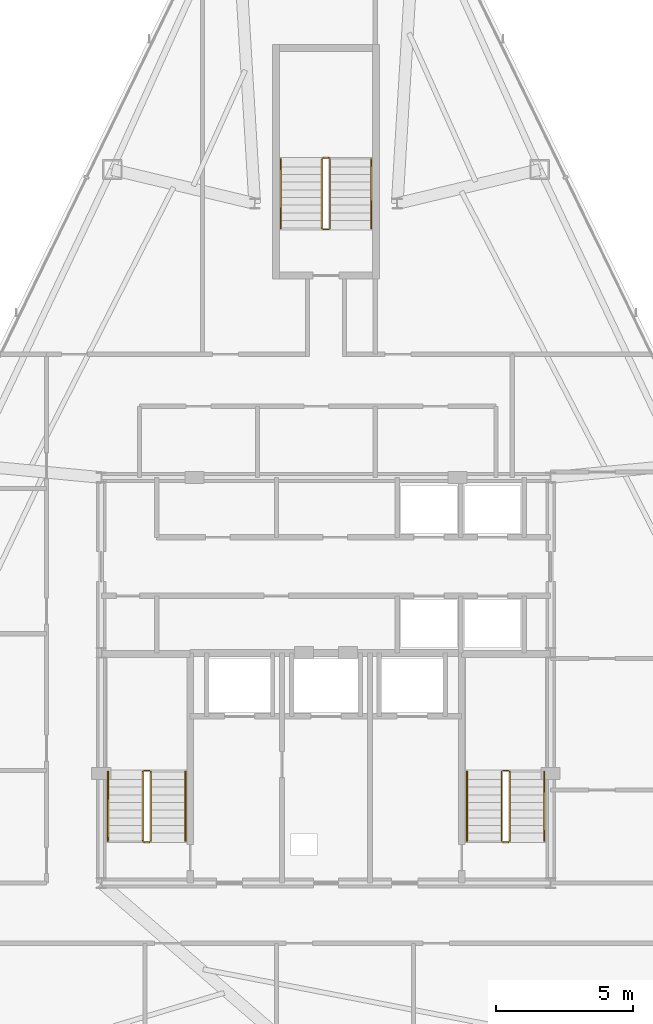
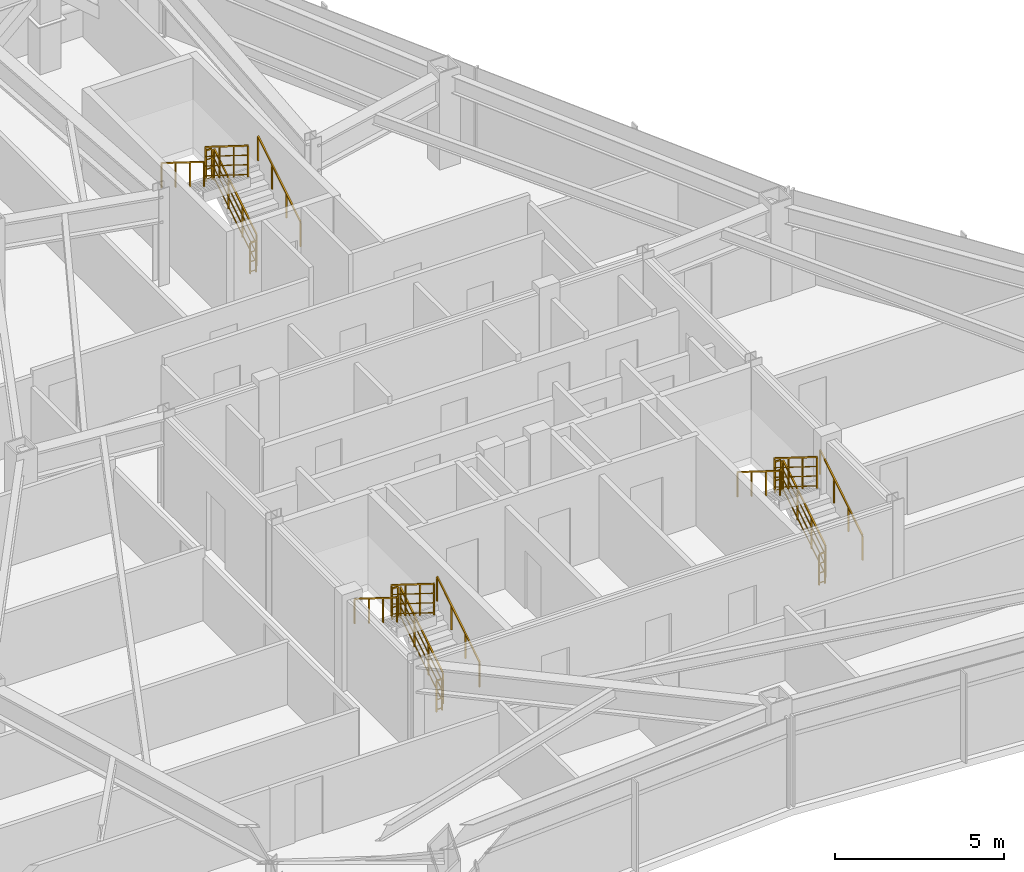
# One storey, part 12 of 12: 18 railings.
"""IFC4 building model written with IfcOpenShell, lengths in metres."""

import ifcopenshell
import ifcopenshell.guid

model = None  # the IFC model being written
_history = None  # IfcOwnerHistory: only IFC2X3 demands one
_inside = {}  # id of a spatial element -> (the spatial element, [elements in it])
_under = {}  # id of a project, library or spatial element -> (it, [spatial elements below it])
_declared = {}  # id of a project -> (the project, [libraries it declares])
_typed = {}  # id of a type object -> (the type object, [elements of that type])
_made_of = {}  # id of a material, layer set ... -> (it, [elements and type objects made of it])


def new_model(schema):
    """Start an empty IFC model of exactly this schema.

    Asked for "IFC4X3", IfcOpenShell would pick the latest addendum, in which some entities
    have other attributes; the version numbers below select the first issue.
    IFC2X3 requires an IfcOwnerHistory on every rooted entity: one is made here for all.
    """
    global model, _history
    if schema == "IFC4X3":
        model = ifcopenshell.file(schema_version=(4, 3, 0, 0))
    else:
        model = ifcopenshell.file(schema=schema)
    _inside.clear()
    _under.clear()
    _declared.clear()
    _typed.clear()
    _made_of.clear()
    _history = None
    if model.schema == "IFC2X3":
        org = make("IfcOrganization", Name="unknown")
        user = make(
            "IfcPersonAndOrganization",
            ThePerson=make("IfcPerson", FamilyName="unknown"),
            TheOrganization=org,
        )
        app = make(
            "IfcApplication",
            ApplicationDeveloper=org,
            Version="unknown",
            ApplicationFullName="unknown",
            ApplicationIdentifier="unknown",
        )
        _history = make(
            "IfcOwnerHistory",
            OwningUser=user,
            OwningApplication=app,
            ChangeAction="ADDED",
            CreationDate=0,
        )
    return model


def make(cls, **values):
    """One entity of the class cls with the attributes given. An attribute that is None is left unset."""
    return model.create_entity(
        cls, **{name: value for name, value in values.items() if value is not None}
    )


def rooted(cls, **values):
    """An entity with a GlobalId (a new one), such as an element, a storey or a relation."""
    return make(cls, GlobalId=ifcopenshell.guid.new(), OwnerHistory=_history, **values)


def si_unit(unit_type, name, prefix=None):
    """IfcSIUnit, for example si_unit("LENGTHUNIT", "METRE", prefix="MILLI")."""
    return make("IfcSIUnit", UnitType=unit_type, Prefix=prefix, Name=name)


def assignment(units):
    """IfcUnitAssignment: the units of a project."""
    return None if units is None else make("IfcUnitAssignment", Units=units)


def point(xyz):
    """IfcCartesianPoint."""
    return None if xyz is None else make("IfcCartesianPoint", Coordinates=xyz)


def direction(xyz):
    """IfcDirection."""
    return None if xyz is None else make("IfcDirection", DirectionRatios=xyz)


def frame(location, z_axis=None, x_axis=None):
    """IfcAxis2Placement3D, a coordinate frame: its origin and axes. An axis left out is left unset."""
    return make(
        "IfcAxis2Placement3D",
        Location=point(location),
        Axis=direction(z_axis),
        RefDirection=direction(x_axis),
    )


def frame_2d(location, x_axis=None):
    """IfcAxis2Placement2D, a coordinate frame in the plane: its origin and x axis."""
    return make(
        "IfcAxis2Placement2D", Location=point(location), RefDirection=direction(x_axis)
    )


def origin():
    """The frame at (0, 0, 0) with its axes left unset."""
    return frame((0.0, 0.0, 0.0))


def origin_2d():
    """The frame at (0, 0) in the plane with its x axis left unset."""
    return frame_2d((0.0, 0.0))


def place(relative_to, where):
    """IfcLocalPlacement: puts the frame where relative to a parent placement (None: the world)."""
    return make(
        "IfcLocalPlacement", PlacementRelTo=relative_to, RelativePlacement=where
    )


def context(
    kind, dimensions, precision=None, world=None, true_north=None, identifier=None
):
    """IfcGeometricRepresentationContext, for example the 3D "Model" context."""
    return make(
        "IfcGeometricRepresentationContext",
        ContextIdentifier=identifier,
        ContextType=kind,
        CoordinateSpaceDimension=dimensions,
        Precision=precision,
        WorldCoordinateSystem=world,
        TrueNorth=true_north,
    )


def subcontext(parent, identifier, kind, view, scale=None):
    """IfcGeometricRepresentationSubContext, for example "Body" below "Model"."""
    return make(
        "IfcGeometricRepresentationSubContext",
        ContextIdentifier=identifier,
        ContextType=kind,
        ParentContext=parent,
        TargetScale=scale,
        TargetView=view,
    )


def project(units=None, contexts=None):
    """IfcProject with its units and contexts."""
    return rooted(
        "IfcProject",
        Name="project",
        RepresentationContexts=contexts,
        UnitsInContext=assignment(units),
    )


def spatial(cls, under=None, at=None, **own):
    """A site, building, storey or space (cls), placed at a placement, below another one or the project."""
    s = rooted(cls, ObjectPlacement=at, **own)
    if under is not None:
        _under.setdefault(under.id(), (under, []))[1].append(s)
    return s


def profile(cls, at=None, kind="AREA", **sizes):
    """A parametric profile (cls). Its sizes go by their IFC names, for example OverallWidth=200.0."""
    return make(cls, ProfileType=kind, Position=at, **sizes)


def rectangle(**sizes):
    """IfcRectangleProfileDef."""
    return profile("IfcRectangleProfileDef", **sizes)


def extrude(swept, where, along, depth):
    """IfcExtrudedAreaSolid: the profile swept, set in the frame where, extruded along a direction by depth."""
    return make(
        "IfcExtrudedAreaSolid",
        SweptArea=swept,
        Position=where,
        ExtrudedDirection=direction(along),
        Depth=depth,
    )


def shape(context_of_items, identifier, shape_type, items):
    """IfcShapeRepresentation: the items that make up one representation, for example the "Body"."""
    return make(
        "IfcShapeRepresentation",
        ContextOfItems=context_of_items,
        RepresentationIdentifier=identifier,
        RepresentationType=shape_type,
        Items=items,
    )


def material(Name=None, Category=None):
    """IfcMaterial."""
    return make("IfcMaterial", Name=Name, Category=Category)


def made_of(thing, what):
    """Note that an element or type object is made of a material, layer set ...; save() writes the relation."""
    if what is not None:
        _made_of.setdefault(what.id(), (what, []))[1].append(thing)
    return thing


def type_object(cls, material=None, **own):
    """A type object (cls), such as IfcWallType, which elements share."""
    return made_of(rooted(cls, **own), material)


def element(
    cls,
    number,
    at=None,
    inside=None,
    cuts=None,
    type_object=None,
    material=None,
    context=None,
    identifier="Body",
    shape_type=None,
    held_by="IfcProductDefinitionShape",
    body=None,
    shapes=None,
    **own,
):
    """One element of the class cls, such as IfcWall. Its Tag is "e" and its number.

    at: its placement. inside: the storey or other place that contains it. cuts: it is an
    opening in that element (IfcRelVoidsElement). A single representation is given by context,
    identifier, shape_type and body (its items); several are given by shapes. held_by: the class
    of the entity that holds the representations. save() writes the other relations.
    """
    e = rooted(cls, Tag="e%d" % number, ObjectPlacement=at, **own)
    if body is not None:
        shapes = [shape(context, identifier, shape_type, body)]
    if shapes is not None:
        e.Representation = make(held_by, Representations=shapes)
    if inside is not None:
        _inside.setdefault(inside.id(), (inside, []))[1].append(e)
    if cuts is not None:
        rooted(
            "IfcRelVoidsElement", RelatingBuildingElement=cuts, RelatedOpeningElement=e
        )
    if type_object is not None:
        _typed.setdefault(type_object.id(), (type_object, []))[1].append(e)
    return made_of(e, material)


def aggregate(whole, parts):
    """IfcRelAggregates: a whole, such as a stair, and the parts it consists of."""
    return rooted("IfcRelAggregates", RelatingObject=whole, RelatedObjects=parts)


def save(model, path):
    """Write the relations noted so far, then the file.

    IfcRelAggregates (storeys below a building ...), IfcRelContainedInSpatialStructure (elements
    in a storey), IfcRelDefinesByType, IfcRelAssociatesMaterial and IfcRelDeclares: one each for
    every whole, place, type object, material and project.
    """
    for whole, parts in _under.values():
        aggregate(whole, parts)
    for where, things in _inside.values():
        rooted(
            "IfcRelContainedInSpatialStructure",
            RelatedElements=things,
            RelatingStructure=where,
        )
    for kind, things in _typed.values():
        rooted("IfcRelDefinesByType", RelatedObjects=things, RelatingType=kind)
    for what, things in _made_of.values():
        rooted("IfcRelAssociatesMaterial", RelatedObjects=things, RelatingMaterial=what)
    for by, libraries in _declared.values():
        rooted("IfcRelDeclares", RelatingContext=by, RelatedDefinitions=libraries)
    model.write(path)


model = new_model("IFC4")

# Units and contexts
model_context = context("Model", 3, precision=1e-05, world=origin(), true_north=direction((0.0, 1.0)))
body_context = subcontext(model_context, "Body", "Model", "MODEL_VIEW")
ifc_project = project(units=[si_unit("LENGTHUNIT", "METRE"), si_unit("AREAUNIT", "SQUARE_METRE"), si_unit("VOLUMEUNIT", "CUBIC_METRE"), si_unit("PLANEANGLEUNIT", "RADIAN"), si_unit("MASSUNIT", "GRAM", prefix="KILO")], contexts=[model_context])

# Site, building, storey
site_placement = place(None, origin())
site = spatial("IfcSite", under=ifc_project, at=site_placement, CompositionType="ELEMENT")
building_placement = place(site_placement, origin())
building = spatial("IfcBuilding", under=site, at=building_placement, Name="Varakhsha Concourse Tower", CompositionType="ELEMENT")
storey_placement = place(building_placement, frame((0.0, 0.0, 211.89990234375)))
storey = spatial("IfcBuildingStorey", under=building, at=storey_placement, Name="L60", CompositionType="ELEMENT", Elevation=211.89990234375)

# Railings
ifc_material = material(Name="Brushed Austenitic Stainless Steel AISI 316", Category="steel")
railing_type_1 = type_object("IfcRailingType", Name="RL-STAIR-GUARD-1100", PredefinedType="GUARDRAIL", material=ifc_material)
railing_1_placement = place(storey_placement, frame((33.610107421875, 17.93994140625, 0.175048828125)))
element("IfcRailing", 1, at=railing_1_placement, inside=storey, type_object=railing_type_1, Name="L60 ST1 stair guard 1", PredefinedType="GUARDRAIL", context=body_context, shape_type="SweptSolid", body=[
    extrude(rectangle(XDim=0.048095703125, YDim=0.048095703125, at=origin_2d()), frame((0.0, 0.0, 1.1259765625), z_axis=(0.0, 0.848007534815, 0.529984170421), x_axis=(-1.0, 0.0, 0.0)), (0.0, 0.0, 1.0), 2.9716796875),
    extrude(rectangle(XDim=0.028076171875, YDim=0.028076171875, at=origin_2d()), frame((0.0, 0.0, 0.080078125), z_axis=(0.0, 0.848007534815, 0.529984170421), x_axis=(-1.0, 0.0, 0.0)), (0.0, 0.0, 1.0), 2.9716796875),
    extrude(rectangle(XDim=0.028076171875, YDim=0.028076171875, at=origin_2d()), frame((0.0, 0.0, 0.43701171875), z_axis=(0.0, 0.848007534815, 0.529984170421), x_axis=(-1.0, 0.0, 0.0)), (0.0, 0.0, 1.0), 2.9716796875),
    extrude(rectangle(XDim=0.028076171875, YDim=0.028076171875, at=origin_2d()), frame((0.0, 0.0, 0.781982421875), z_axis=(0.0, 0.848007534815, 0.529984170421), x_axis=(-1.0, 0.0, 0.0)), (0.0, 0.0, 1.0), 2.9716796875),
    extrude(rectangle(XDim=0.0419921875, YDim=0.0419921875, at=origin_2d()), origin(), (0.0, 0.0, 1.0), 1.101806640625),
    extrude(rectangle(XDim=0.0419921875, YDim=0.0419921875, at=origin_2d()), frame((0.0, 0.840087890625, 0.52490234375)), (0.0, 0.0, 1.0), 1.101806640625),
    extrude(rectangle(XDim=0.0419921875, YDim=0.0419921875, at=origin_2d()), frame((0.0, 1.679931640625, 1.050048828125)), (0.0, 0.0, 1.0), 1.101806640625),
    extrude(rectangle(XDim=0.0419921875, YDim=0.0419921875, at=origin_2d()), frame((0.0, 2.52001953125, 1.574951171875)), (0.0, 0.0, 1.0), 1.101806640625),
])
railing_2_placement = place(storey_placement, frame((33.56005859375, 20.510009765625, 1.75)))
element("IfcRailing", 2, at=railing_2_placement, inside=storey, type_object=railing_type_1, Name="L60 ST1 stair guard 2", PredefinedType="GUARDRAIL", context=body_context, shape_type="SweptSolid", body=[
    extrude(rectangle(XDim=0.048095703125, YDim=0.048095703125, at=origin_2d()), frame((0.0, 0.0, 1.1259765625), z_axis=(-1.0, 0.0, 0.0), x_axis=(0.0, -1.0, 0.0)), (0.0, 0.0, 1.0), 0.199951171875),
    extrude(rectangle(XDim=0.028076171875, YDim=0.028076171875, at=origin_2d()), frame((0.0, 0.0, 0.080078125), z_axis=(-1.0, 0.0, 0.0), x_axis=(0.0, -1.0, 0.0)), (0.0, 0.0, 1.0), 0.199951171875),
    extrude(rectangle(XDim=0.028076171875, YDim=0.028076171875, at=origin_2d()), frame((0.0, 0.0, 0.43701171875), z_axis=(-1.0, 0.0, 0.0), x_axis=(0.0, -1.0, 0.0)), (0.0, 0.0, 1.0), 0.199951171875),
    extrude(rectangle(XDim=0.028076171875, YDim=0.028076171875, at=origin_2d()), frame((0.0, 0.0, 0.781982421875), z_axis=(-1.0, 0.0, 0.0), x_axis=(0.0, -1.0, 0.0)), (0.0, 0.0, 1.0), 0.199951171875),
    extrude(rectangle(XDim=0.0419921875, YDim=0.0419921875, at=origin_2d()), origin(), (0.0, 0.0, 1.0), 1.101806640625),
    extrude(rectangle(XDim=0.0419921875, YDim=0.0419921875, at=origin_2d()), frame((-0.199951171875, 0.0, 0.0)), (0.0, 0.0, 1.0), 1.101806640625),
])
railing_3_placement = place(storey_placement, frame((33.31005859375, 20.4599609375, 1.925048828125)))
element("IfcRailing", 3, at=railing_3_placement, inside=storey, type_object=railing_type_1, Name="L60 ST1 stair guard 3", PredefinedType="GUARDRAIL", context=body_context, shape_type="SweptSolid", body=[
    extrude(rectangle(XDim=0.048095703125, YDim=0.048095703125, at=origin_2d()), frame((0.0, 0.0, 1.1259765625), z_axis=(0.0, -0.848007534815, 0.529984170421), x_axis=(1.0, 0.0, 0.0)), (0.0, 0.0, 1.0), 2.9716796875),
    extrude(rectangle(XDim=0.028076171875, YDim=0.028076171875, at=origin_2d()), frame((0.0, 0.0, 0.080078125), z_axis=(0.0, -0.848007534815, 0.529984170421), x_axis=(1.0, 0.0, 0.0)), (0.0, 0.0, 1.0), 2.9716796875),
    extrude(rectangle(XDim=0.028076171875, YDim=0.028076171875, at=origin_2d()), frame((0.0, 0.0, 0.43701171875), z_axis=(0.0, -0.848007534815, 0.529984170421), x_axis=(1.0, 0.0, 0.0)), (0.0, 0.0, 1.0), 2.9716796875),
    extrude(rectangle(XDim=0.028076171875, YDim=0.028076171875, at=origin_2d()), frame((0.0, 0.0, 0.781982421875), z_axis=(0.0, -0.848007534815, 0.529984170421), x_axis=(1.0, 0.0, 0.0)), (0.0, 0.0, 1.0), 2.9716796875),
    extrude(rectangle(XDim=0.0419921875, YDim=0.0419921875, at=origin_2d()), origin(), (0.0, 0.0, 1.0), 1.101806640625),
    extrude(rectangle(XDim=0.0419921875, YDim=0.0419921875, at=origin_2d()), frame((0.0, -0.840087890625, 0.52490234375)), (0.0, 0.0, 1.0), 1.101806640625),
    extrude(rectangle(XDim=0.0419921875, YDim=0.0419921875, at=origin_2d()), frame((0.0, -1.679931640625, 1.050048828125)), (0.0, 0.0, 1.0), 1.101806640625),
    extrude(rectangle(XDim=0.0419921875, YDim=0.0419921875, at=origin_2d()), frame((0.0, -2.52001953125, 1.574951171875)), (0.0, 0.0, 1.0), 1.101806640625),
])
railing_4_placement = place(storey_placement, frame((33.56005859375, 17.889892578125, 0.0)))
element("IfcRailing", 4, at=railing_4_placement, inside=storey, type_object=railing_type_1, Name="L60 ST1 stair guard 4", PredefinedType="GUARDRAIL", context=body_context, shape_type="SweptSolid", body=[
    extrude(rectangle(XDim=0.048095703125, YDim=0.048095703125, at=origin_2d()), frame((0.0, 0.0, 1.1259765625), z_axis=(-1.0, 0.0, 0.0), x_axis=(0.0, -1.0, 0.0)), (0.0, 0.0, 1.0), 0.199951171875),
    extrude(rectangle(XDim=0.028076171875, YDim=0.028076171875, at=origin_2d()), frame((0.0, 0.0, 0.080078125), z_axis=(-1.0, 0.0, 0.0), x_axis=(0.0, -1.0, 0.0)), (0.0, 0.0, 1.0), 0.199951171875),
    extrude(rectangle(XDim=0.028076171875, YDim=0.028076171875, at=origin_2d()), frame((0.0, 0.0, 0.43701171875), z_axis=(-1.0, 0.0, 0.0), x_axis=(0.0, -1.0, 0.0)), (0.0, 0.0, 1.0), 0.199951171875),
    extrude(rectangle(XDim=0.028076171875, YDim=0.028076171875, at=origin_2d()), frame((0.0, 0.0, 0.781982421875), z_axis=(-1.0, 0.0, 0.0), x_axis=(0.0, -1.0, 0.0)), (0.0, 0.0, 1.0), 0.199951171875),
    extrude(rectangle(XDim=0.0419921875, YDim=0.0419921875, at=origin_2d()), origin(), (0.0, 0.0, 1.0), 1.101806640625),
    extrude(rectangle(XDim=0.0419921875, YDim=0.0419921875, at=origin_2d()), frame((-0.199951171875, 0.0, 0.0)), (0.0, 0.0, 1.0), 1.101806640625),
])
railing_5_placement = place(storey_placement, frame((46.7099609375, 17.93994140625, 0.175048828125)))
element("IfcRailing", 5, at=railing_5_placement, inside=storey, type_object=railing_type_1, Name="L60 ST2 stair guard 1", PredefinedType="GUARDRAIL", context=body_context, shape_type="SweptSolid", body=[
    extrude(rectangle(XDim=0.048095703125, YDim=0.048095703125, at=origin_2d()), frame((0.0, 0.0, 1.1259765625), z_axis=(0.0, 0.848007534815, 0.529984170421), x_axis=(-1.0, 0.0, 0.0)), (0.0, 0.0, 1.0), 2.9716796875),
    extrude(rectangle(XDim=0.028076171875, YDim=0.028076171875, at=origin_2d()), frame((0.0, 0.0, 0.080078125), z_axis=(0.0, 0.848007534815, 0.529984170421), x_axis=(-1.0, 0.0, 0.0)), (0.0, 0.0, 1.0), 2.9716796875),
    extrude(rectangle(XDim=0.028076171875, YDim=0.028076171875, at=origin_2d()), frame((0.0, 0.0, 0.43701171875), z_axis=(0.0, 0.848007534815, 0.529984170421), x_axis=(-1.0, 0.0, 0.0)), (0.0, 0.0, 1.0), 2.9716796875),
    extrude(rectangle(XDim=0.028076171875, YDim=0.028076171875, at=origin_2d()), frame((0.0, 0.0, 0.781982421875), z_axis=(0.0, 0.848007534815, 0.529984170421), x_axis=(-1.0, 0.0, 0.0)), (0.0, 0.0, 1.0), 2.9716796875),
    extrude(rectangle(XDim=0.0419921875, YDim=0.0419921875, at=origin_2d()), origin(), (0.0, 0.0, 1.0), 1.101806640625),
    extrude(rectangle(XDim=0.0419921875, YDim=0.0419921875, at=origin_2d()), frame((0.0, 0.840087890625, 0.52490234375)), (0.0, 0.0, 1.0), 1.101806640625),
    extrude(rectangle(XDim=0.0419921875, YDim=0.0419921875, at=origin_2d()), frame((0.0, 1.679931640625, 1.050048828125)), (0.0, 0.0, 1.0), 1.101806640625),
    extrude(rectangle(XDim=0.0419921875, YDim=0.0419921875, at=origin_2d()), frame((0.0, 2.52001953125, 1.574951171875)), (0.0, 0.0, 1.0), 1.101806640625),
])
railing_6_placement = place(storey_placement, frame((46.659912109375, 20.510009765625, 1.75)))
element("IfcRailing", 6, at=railing_6_placement, inside=storey, type_object=railing_type_1, Name="L60 ST2 stair guard 2", PredefinedType="GUARDRAIL", context=body_context, shape_type="SweptSolid", body=[
    extrude(rectangle(XDim=0.048095703125, YDim=0.048095703125, at=origin_2d()), frame((0.0, 0.0, 1.1259765625), z_axis=(-1.0, 0.0, 0.0), x_axis=(0.0, -1.0, 0.0)), (0.0, 0.0, 1.0), 0.199951171875),
    extrude(rectangle(XDim=0.028076171875, YDim=0.028076171875, at=origin_2d()), frame((0.0, 0.0, 0.080078125), z_axis=(-1.0, 0.0, 0.0), x_axis=(0.0, -1.0, 0.0)), (0.0, 0.0, 1.0), 0.199951171875),
    extrude(rectangle(XDim=0.028076171875, YDim=0.028076171875, at=origin_2d()), frame((0.0, 0.0, 0.43701171875), z_axis=(-1.0, 0.0, 0.0), x_axis=(0.0, -1.0, 0.0)), (0.0, 0.0, 1.0), 0.199951171875),
    extrude(rectangle(XDim=0.028076171875, YDim=0.028076171875, at=origin_2d()), frame((0.0, 0.0, 0.781982421875), z_axis=(-1.0, 0.0, 0.0), x_axis=(0.0, -1.0, 0.0)), (0.0, 0.0, 1.0), 0.199951171875),
    extrude(rectangle(XDim=0.0419921875, YDim=0.0419921875, at=origin_2d()), origin(), (0.0, 0.0, 1.0), 1.101806640625),
    extrude(rectangle(XDim=0.0419921875, YDim=0.0419921875, at=origin_2d()), frame((-0.199951171875, 0.0, 0.0)), (0.0, 0.0, 1.0), 1.101806640625),
])
railing_7_placement = place(storey_placement, frame((46.409912109375, 20.4599609375, 1.925048828125)))
element("IfcRailing", 7, at=railing_7_placement, inside=storey, type_object=railing_type_1, Name="L60 ST2 stair guard 3", PredefinedType="GUARDRAIL", context=body_context, shape_type="SweptSolid", body=[
    extrude(rectangle(XDim=0.048095703125, YDim=0.048095703125, at=origin_2d()), frame((0.0, 0.0, 1.1259765625), z_axis=(0.0, -0.848007534815, 0.529984170421), x_axis=(1.0, 0.0, 0.0)), (0.0, 0.0, 1.0), 2.9716796875),
    extrude(rectangle(XDim=0.028076171875, YDim=0.028076171875, at=origin_2d()), frame((0.0, 0.0, 0.080078125), z_axis=(0.0, -0.848007534815, 0.529984170421), x_axis=(1.0, 0.0, 0.0)), (0.0, 0.0, 1.0), 2.9716796875),
    extrude(rectangle(XDim=0.028076171875, YDim=0.028076171875, at=origin_2d()), frame((0.0, 0.0, 0.43701171875), z_axis=(0.0, -0.848007534815, 0.529984170421), x_axis=(1.0, 0.0, 0.0)), (0.0, 0.0, 1.0), 2.9716796875),
    extrude(rectangle(XDim=0.028076171875, YDim=0.028076171875, at=origin_2d()), frame((0.0, 0.0, 0.781982421875), z_axis=(0.0, -0.848007534815, 0.529984170421), x_axis=(1.0, 0.0, 0.0)), (0.0, 0.0, 1.0), 2.9716796875),
    extrude(rectangle(XDim=0.0419921875, YDim=0.0419921875, at=origin_2d()), origin(), (0.0, 0.0, 1.0), 1.101806640625),
    extrude(rectangle(XDim=0.0419921875, YDim=0.0419921875, at=origin_2d()), frame((0.0, -0.840087890625, 0.52490234375)), (0.0, 0.0, 1.0), 1.101806640625),
    extrude(rectangle(XDim=0.0419921875, YDim=0.0419921875, at=origin_2d()), frame((0.0, -1.679931640625, 1.050048828125)), (0.0, 0.0, 1.0), 1.101806640625),
    extrude(rectangle(XDim=0.0419921875, YDim=0.0419921875, at=origin_2d()), frame((0.0, -2.52001953125, 1.574951171875)), (0.0, 0.0, 1.0), 1.101806640625),
])
railing_8_placement = place(storey_placement, frame((46.659912109375, 17.889892578125, 0.0)))
element("IfcRailing", 8, at=railing_8_placement, inside=storey, type_object=railing_type_1, Name="L60 ST2 stair guard 4", PredefinedType="GUARDRAIL", context=body_context, shape_type="SweptSolid", body=[
    extrude(rectangle(XDim=0.048095703125, YDim=0.048095703125, at=origin_2d()), frame((0.0, 0.0, 1.1259765625), z_axis=(-1.0, 0.0, 0.0), x_axis=(0.0, -1.0, 0.0)), (0.0, 0.0, 1.0), 0.199951171875),
    extrude(rectangle(XDim=0.028076171875, YDim=0.028076171875, at=origin_2d()), frame((0.0, 0.0, 0.080078125), z_axis=(-1.0, 0.0, 0.0), x_axis=(0.0, -1.0, 0.0)), (0.0, 0.0, 1.0), 0.199951171875),
    extrude(rectangle(XDim=0.028076171875, YDim=0.028076171875, at=origin_2d()), frame((0.0, 0.0, 0.43701171875), z_axis=(-1.0, 0.0, 0.0), x_axis=(0.0, -1.0, 0.0)), (0.0, 0.0, 1.0), 0.199951171875),
    extrude(rectangle(XDim=0.028076171875, YDim=0.028076171875, at=origin_2d()), frame((0.0, 0.0, 0.781982421875), z_axis=(-1.0, 0.0, 0.0), x_axis=(0.0, -1.0, 0.0)), (0.0, 0.0, 1.0), 0.199951171875),
    extrude(rectangle(XDim=0.0419921875, YDim=0.0419921875, at=origin_2d()), origin(), (0.0, 0.0, 1.0), 1.101806640625),
    extrude(rectangle(XDim=0.0419921875, YDim=0.0419921875, at=origin_2d()), frame((-0.199951171875, 0.0, 0.0)), (0.0, 0.0, 1.0), 1.101806640625),
])
railing_9_placement = place(storey_placement, frame((40.14990234375, 40.300048828125, 0.175048828125)))
element("IfcRailing", 9, at=railing_9_placement, inside=storey, type_object=railing_type_1, Name="L60 ST5 stair guard 1", PredefinedType="GUARDRAIL", context=body_context, shape_type="SweptSolid", body=[
    extrude(rectangle(XDim=0.048095703125, YDim=0.048095703125, at=origin_2d()), frame((0.0, 0.0, 1.1259765625), z_axis=(0.0, 0.848007534815, 0.529984170421), x_axis=(-1.0, 0.0, 0.0)), (0.0, 0.0, 1.0), 2.9716796875),
    extrude(rectangle(XDim=0.028076171875, YDim=0.028076171875, at=origin_2d()), frame((0.0, 0.0, 0.080078125), z_axis=(0.0, 0.848007534815, 0.529984170421), x_axis=(-1.0, 0.0, 0.0)), (0.0, 0.0, 1.0), 2.9716796875),
    extrude(rectangle(XDim=0.028076171875, YDim=0.028076171875, at=origin_2d()), frame((0.0, 0.0, 0.43701171875), z_axis=(0.0, 0.848007534815, 0.529984170421), x_axis=(-1.0, 0.0, 0.0)), (0.0, 0.0, 1.0), 2.9716796875),
    extrude(rectangle(XDim=0.028076171875, YDim=0.028076171875, at=origin_2d()), frame((0.0, 0.0, 0.781982421875), z_axis=(0.0, 0.848007534815, 0.529984170421), x_axis=(-1.0, 0.0, 0.0)), (0.0, 0.0, 1.0), 2.9716796875),
    extrude(rectangle(XDim=0.0419921875, YDim=0.0419921875, at=origin_2d()), origin(), (0.0, 0.0, 1.0), 1.101806640625),
    extrude(rectangle(XDim=0.0419921875, YDim=0.0419921875, at=origin_2d()), frame((0.0, 0.840087890625, 0.52490234375)), (0.0, 0.0, 1.0), 1.101806640625),
    extrude(rectangle(XDim=0.0419921875, YDim=0.0419921875, at=origin_2d()), frame((0.0, 1.679931640625, 1.050048828125)), (0.0, 0.0, 1.0), 1.101806640625),
    extrude(rectangle(XDim=0.0419921875, YDim=0.0419921875, at=origin_2d()), frame((0.0, 2.52001953125, 1.574951171875)), (0.0, 0.0, 1.0), 1.101806640625),
])
railing_10_placement = place(storey_placement, frame((40.10009765625, 42.8701171875, 1.75)))
element("IfcRailing", 10, at=railing_10_placement, inside=storey, type_object=railing_type_1, Name="L60 ST5 stair guard 2", PredefinedType="GUARDRAIL", context=body_context, shape_type="SweptSolid", body=[
    extrude(rectangle(XDim=0.048095703125, YDim=0.048095703125, at=origin_2d()), frame((0.0, 0.0, 1.1259765625), z_axis=(-1.0, 0.0, 0.0), x_axis=(0.0, -1.0, 0.0)), (0.0, 0.0, 1.0), 0.2001953125),
    extrude(rectangle(XDim=0.028076171875, YDim=0.028076171875, at=origin_2d()), frame((0.0, 0.0, 0.080078125), z_axis=(-1.0, 0.0, 0.0), x_axis=(0.0, -1.0, 0.0)), (0.0, 0.0, 1.0), 0.2001953125),
    extrude(rectangle(XDim=0.028076171875, YDim=0.028076171875, at=origin_2d()), frame((0.0, 0.0, 0.43701171875), z_axis=(-1.0, 0.0, 0.0), x_axis=(0.0, -1.0, 0.0)), (0.0, 0.0, 1.0), 0.2001953125),
    extrude(rectangle(XDim=0.028076171875, YDim=0.028076171875, at=origin_2d()), frame((0.0, 0.0, 0.781982421875), z_axis=(-1.0, 0.0, 0.0), x_axis=(0.0, -1.0, 0.0)), (0.0, 0.0, 1.0), 0.2001953125),
    extrude(rectangle(XDim=0.0419921875, YDim=0.0419921875, at=origin_2d()), origin(), (0.0, 0.0, 1.0), 1.101806640625),
    extrude(rectangle(XDim=0.0419921875, YDim=0.0419921875, at=origin_2d()), frame((-0.2001953125, 0.0, 0.0)), (0.0, 0.0, 1.0), 1.101806640625),
])
railing_11_placement = place(storey_placement, frame((39.85009765625, 42.820068359375, 1.925048828125)))
element("IfcRailing", 11, at=railing_11_placement, inside=storey, type_object=railing_type_1, Name="L60 ST5 stair guard 3", PredefinedType="GUARDRAIL", context=body_context, shape_type="SweptSolid", body=[
    extrude(rectangle(XDim=0.048095703125, YDim=0.048095703125, at=origin_2d()), frame((0.0, 0.0, 1.1259765625), z_axis=(0.0, -0.848007534815, 0.529984170421), x_axis=(1.0, 0.0, 0.0)), (0.0, 0.0, 1.0), 2.9716796875),
    extrude(rectangle(XDim=0.028076171875, YDim=0.028076171875, at=origin_2d()), frame((0.0, 0.0, 0.080078125), z_axis=(0.0, -0.848007534815, 0.529984170421), x_axis=(1.0, 0.0, 0.0)), (0.0, 0.0, 1.0), 2.9716796875),
    extrude(rectangle(XDim=0.028076171875, YDim=0.028076171875, at=origin_2d()), frame((0.0, 0.0, 0.43701171875), z_axis=(0.0, -0.848007534815, 0.529984170421), x_axis=(1.0, 0.0, 0.0)), (0.0, 0.0, 1.0), 2.9716796875),
    extrude(rectangle(XDim=0.028076171875, YDim=0.028076171875, at=origin_2d()), frame((0.0, 0.0, 0.781982421875), z_axis=(0.0, -0.848007534815, 0.529984170421), x_axis=(1.0, 0.0, 0.0)), (0.0, 0.0, 1.0), 2.9716796875),
    extrude(rectangle(XDim=0.0419921875, YDim=0.0419921875, at=origin_2d()), origin(), (0.0, 0.0, 1.0), 1.101806640625),
    extrude(rectangle(XDim=0.0419921875, YDim=0.0419921875, at=origin_2d()), frame((0.0, -0.840087890625, 0.52490234375)), (0.0, 0.0, 1.0), 1.101806640625),
    extrude(rectangle(XDim=0.0419921875, YDim=0.0419921875, at=origin_2d()), frame((0.0, -1.679931640625, 1.050048828125)), (0.0, 0.0, 1.0), 1.101806640625),
    extrude(rectangle(XDim=0.0419921875, YDim=0.0419921875, at=origin_2d()), frame((0.0, -2.52001953125, 1.574951171875)), (0.0, 0.0, 1.0), 1.101806640625),
])
railing_12_placement = place(storey_placement, frame((40.10009765625, 40.25, 0.0)))
element("IfcRailing", 12, at=railing_12_placement, inside=storey, type_object=railing_type_1, Name="L60 ST5 stair guard 4", PredefinedType="GUARDRAIL", context=body_context, shape_type="SweptSolid", body=[
    extrude(rectangle(XDim=0.048095703125, YDim=0.048095703125, at=origin_2d()), frame((0.0, 0.0, 1.1259765625), z_axis=(-1.0, 0.0, 0.0), x_axis=(0.0, -1.0, 0.0)), (0.0, 0.0, 1.0), 0.2001953125),
    extrude(rectangle(XDim=0.028076171875, YDim=0.028076171875, at=origin_2d()), frame((0.0, 0.0, 0.080078125), z_axis=(-1.0, 0.0, 0.0), x_axis=(0.0, -1.0, 0.0)), (0.0, 0.0, 1.0), 0.2001953125),
    extrude(rectangle(XDim=0.028076171875, YDim=0.028076171875, at=origin_2d()), frame((0.0, 0.0, 0.43701171875), z_axis=(-1.0, 0.0, 0.0), x_axis=(0.0, -1.0, 0.0)), (0.0, 0.0, 1.0), 0.2001953125),
    extrude(rectangle(XDim=0.028076171875, YDim=0.028076171875, at=origin_2d()), frame((0.0, 0.0, 0.781982421875), z_axis=(-1.0, 0.0, 0.0), x_axis=(0.0, -1.0, 0.0)), (0.0, 0.0, 1.0), 0.2001953125),
    extrude(rectangle(XDim=0.0419921875, YDim=0.0419921875, at=origin_2d()), origin(), (0.0, 0.0, 1.0), 1.101806640625),
    extrude(rectangle(XDim=0.0419921875, YDim=0.0419921875, at=origin_2d()), frame((-0.2001953125, 0.0, 0.0)), (0.0, 0.0, 1.0), 1.101806640625),
])
railing_type_2 = type_object("IfcRailingType", Name="RL-STAIR-RAIL-915", PredefinedType="HANDRAIL", material=ifc_material)
railing_13_placement = place(storey_placement, frame((34.8701171875, 17.93994140625, 0.35009765625)))
element("IfcRailing", 13, at=railing_13_placement, inside=storey, type_object=railing_type_2, Name="L60 ST1 stair handrail 1", PredefinedType="HANDRAIL", context=body_context, shape_type="SweptSolid", body=[
    extrude(rectangle(XDim=0.048095703125, YDim=0.048095703125, at=origin_2d()), frame((0.0, 0.0, 0.89111328125), z_axis=(0.0, 0.848007534815, 0.529984170421), x_axis=(-1.0, 0.0, 0.0)), (0.0, 0.0, 1.0), 2.9716796875),
    extrude(rectangle(XDim=0.0419921875, YDim=0.0419921875, at=origin_2d()), origin(), (0.0, 0.0, 1.0), 0.866943359375),
    extrude(rectangle(XDim=0.0419921875, YDim=0.0419921875, at=origin_2d()), frame((0.0, 0.840087890625, 0.52490234375)), (0.0, 0.0, 1.0), 0.866943359375),
    extrude(rectangle(XDim=0.0419921875, YDim=0.0419921875, at=origin_2d()), frame((0.0, 1.679931640625, 1.050048828125)), (0.0, 0.0, 1.0), 0.866943359375),
    extrude(rectangle(XDim=0.0419921875, YDim=0.0419921875, at=origin_2d()), frame((0.0, 2.52001953125, 1.574951171875)), (0.0, 0.0, 1.0), 0.866943359375),
])
railing_14_placement = place(storey_placement, frame((32.050048828125, 20.4599609375, 2.10009765625)))
element("IfcRailing", 14, at=railing_14_placement, inside=storey, type_object=railing_type_2, Name="L60 ST1 stair handrail 2", PredefinedType="HANDRAIL", context=body_context, shape_type="SweptSolid", body=[
    extrude(rectangle(XDim=0.048095703125, YDim=0.048095703125, at=origin_2d()), frame((0.0, 0.0, 0.89111328125), z_axis=(0.0, -0.848007534815, 0.529984170421), x_axis=(1.0, 0.0, 0.0)), (0.0, 0.0, 1.0), 2.9716796875),
    extrude(rectangle(XDim=0.0419921875, YDim=0.0419921875, at=origin_2d()), origin(), (0.0, 0.0, 1.0), 0.866943359375),
    extrude(rectangle(XDim=0.0419921875, YDim=0.0419921875, at=origin_2d()), frame((0.0, -0.840087890625, 0.52490234375)), (0.0, 0.0, 1.0), 0.866943359375),
    extrude(rectangle(XDim=0.0419921875, YDim=0.0419921875, at=origin_2d()), frame((0.0, -1.679931640625, 1.050048828125)), (0.0, 0.0, 1.0), 0.866943359375),
    extrude(rectangle(XDim=0.0419921875, YDim=0.0419921875, at=origin_2d()), frame((0.0, -2.52001953125, 1.574951171875)), (0.0, 0.0, 1.0), 0.866943359375),
])
railing_15_placement = place(storey_placement, frame((47.969970703125, 17.93994140625, 0.35009765625)))
element("IfcRailing", 15, at=railing_15_placement, inside=storey, type_object=railing_type_2, Name="L60 ST2 stair handrail 1", PredefinedType="HANDRAIL", context=body_context, shape_type="SweptSolid", body=[
    extrude(rectangle(XDim=0.048095703125, YDim=0.048095703125, at=origin_2d()), frame((0.0, 0.0, 0.89111328125), z_axis=(0.0, 0.848007534815, 0.529984170421), x_axis=(-1.0, 0.0, 0.0)), (0.0, 0.0, 1.0), 2.9716796875),
    extrude(rectangle(XDim=0.0419921875, YDim=0.0419921875, at=origin_2d()), origin(), (0.0, 0.0, 1.0), 0.866943359375),
    extrude(rectangle(XDim=0.0419921875, YDim=0.0419921875, at=origin_2d()), frame((0.0, 0.840087890625, 0.52490234375)), (0.0, 0.0, 1.0), 0.866943359375),
    extrude(rectangle(XDim=0.0419921875, YDim=0.0419921875, at=origin_2d()), frame((0.0, 1.679931640625, 1.050048828125)), (0.0, 0.0, 1.0), 0.866943359375),
    extrude(rectangle(XDim=0.0419921875, YDim=0.0419921875, at=origin_2d()), frame((0.0, 2.52001953125, 1.574951171875)), (0.0, 0.0, 1.0), 0.866943359375),
])
railing_16_placement = place(storey_placement, frame((45.14990234375, 20.4599609375, 2.10009765625)))
element("IfcRailing", 16, at=railing_16_placement, inside=storey, type_object=railing_type_2, Name="L60 ST2 stair handrail 2", PredefinedType="HANDRAIL", context=body_context, shape_type="SweptSolid", body=[
    extrude(rectangle(XDim=0.048095703125, YDim=0.048095703125, at=origin_2d()), frame((0.0, 0.0, 0.89111328125), z_axis=(0.0, -0.848007534815, 0.529984170421), x_axis=(1.0, 0.0, 0.0)), (0.0, 0.0, 1.0), 2.9716796875),
    extrude(rectangle(XDim=0.0419921875, YDim=0.0419921875, at=origin_2d()), origin(), (0.0, 0.0, 1.0), 0.866943359375),
    extrude(rectangle(XDim=0.0419921875, YDim=0.0419921875, at=origin_2d()), frame((0.0, -0.840087890625, 0.52490234375)), (0.0, 0.0, 1.0), 0.866943359375),
    extrude(rectangle(XDim=0.0419921875, YDim=0.0419921875, at=origin_2d()), frame((0.0, -1.679931640625, 1.050048828125)), (0.0, 0.0, 1.0), 0.866943359375),
    extrude(rectangle(XDim=0.0419921875, YDim=0.0419921875, at=origin_2d()), frame((0.0, -2.52001953125, 1.574951171875)), (0.0, 0.0, 1.0), 0.866943359375),
])
railing_17_placement = place(storey_placement, frame((41.64990234375, 40.300048828125, 0.35009765625)))
element("IfcRailing", 17, at=railing_17_placement, inside=storey, type_object=railing_type_2, Name="L60 ST5 stair handrail 1", PredefinedType="HANDRAIL", context=body_context, shape_type="SweptSolid", body=[
    extrude(rectangle(XDim=0.048095703125, YDim=0.048095703125, at=origin_2d()), frame((0.0, 0.0, 0.89111328125), z_axis=(0.0, 0.848007534815, 0.529984170421), x_axis=(-1.0, 0.0, 0.0)), (0.0, 0.0, 1.0), 2.9716796875),
    extrude(rectangle(XDim=0.0419921875, YDim=0.0419921875, at=origin_2d()), origin(), (0.0, 0.0, 1.0), 0.866943359375),
    extrude(rectangle(XDim=0.0419921875, YDim=0.0419921875, at=origin_2d()), frame((0.0, 0.840087890625, 0.52490234375)), (0.0, 0.0, 1.0), 0.866943359375),
    extrude(rectangle(XDim=0.0419921875, YDim=0.0419921875, at=origin_2d()), frame((0.0, 1.679931640625, 1.050048828125)), (0.0, 0.0, 1.0), 0.866943359375),
    extrude(rectangle(XDim=0.0419921875, YDim=0.0419921875, at=origin_2d()), frame((0.0, 2.52001953125, 1.574951171875)), (0.0, 0.0, 1.0), 0.866943359375),
])
railing_18_placement = place(storey_placement, frame((38.35009765625, 42.820068359375, 2.10009765625)))
element("IfcRailing", 18, at=railing_18_placement, inside=storey, type_object=railing_type_2, Name="L60 ST5 stair handrail 2", PredefinedType="HANDRAIL", context=body_context, shape_type="SweptSolid", body=[
    extrude(rectangle(XDim=0.048095703125, YDim=0.048095703125, at=origin_2d()), frame((0.0, 0.0, 0.89111328125), z_axis=(0.0, -0.848007534815, 0.529984170421), x_axis=(1.0, 0.0, 0.0)), (0.0, 0.0, 1.0), 2.9716796875),
    extrude(rectangle(XDim=0.0419921875, YDim=0.0419921875, at=origin_2d()), origin(), (0.0, 0.0, 1.0), 0.866943359375),
    extrude(rectangle(XDim=0.0419921875, YDim=0.0419921875, at=origin_2d()), frame((0.0, -0.840087890625, 0.52490234375)), (0.0, 0.0, 1.0), 0.866943359375),
    extrude(rectangle(XDim=0.0419921875, YDim=0.0419921875, at=origin_2d()), frame((0.0, -1.679931640625, 1.050048828125)), (0.0, 0.0, 1.0), 0.866943359375),
    extrude(rectangle(XDim=0.0419921875, YDim=0.0419921875, at=origin_2d()), frame((0.0, -2.52001953125, 1.574951171875)), (0.0, 0.0, 1.0), 0.866943359375),
])

save(model, "model.ifc")
